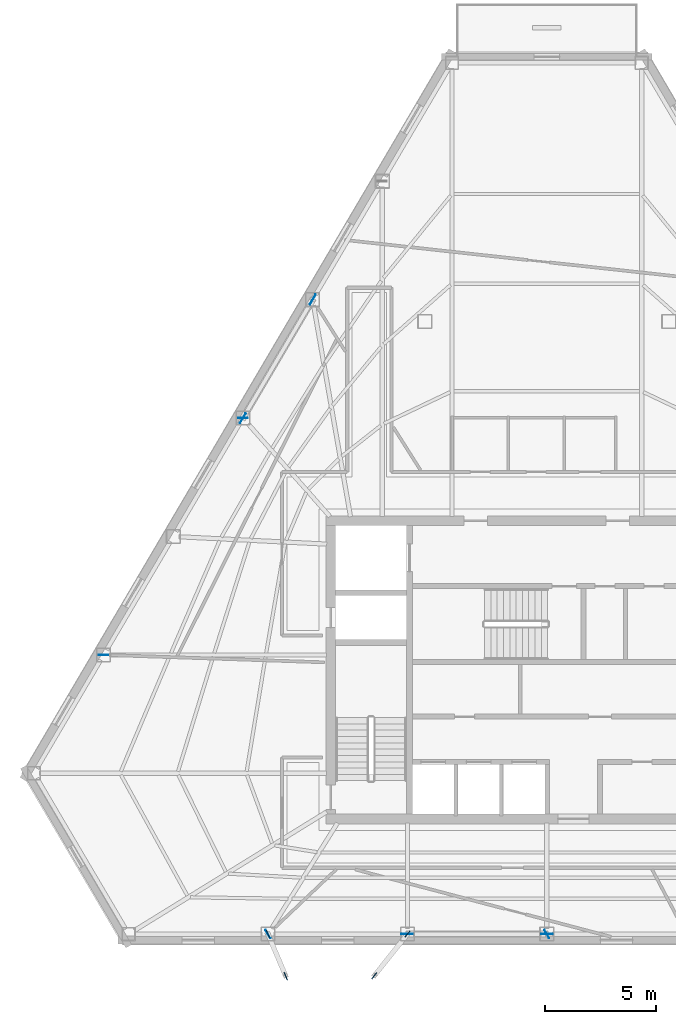
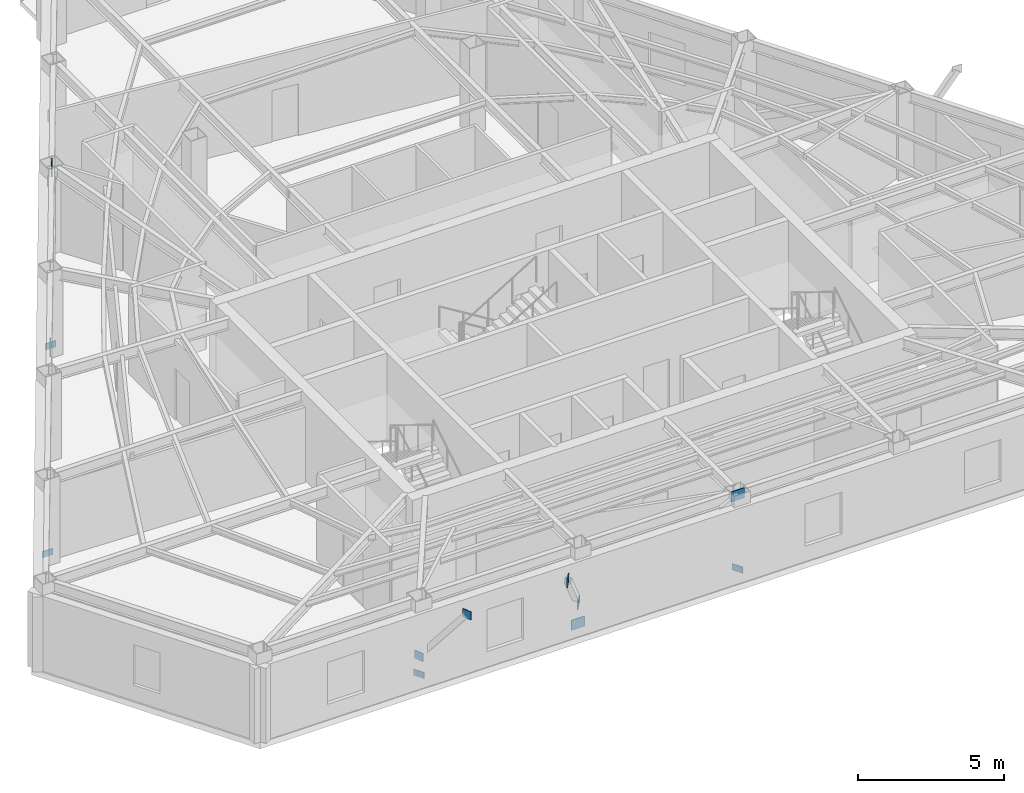
# One storey, part 4 of 12: 12 plates.
"""IFC4 building model written with IfcOpenShell, lengths in metres."""

from ifc_helpers import new_model, si_unit, direction, frame, origin, origin_2d, place, context, subcontext, project, spatial, rectangle, extrude, material, layer, layer_set, type_object, element, save


model = new_model("IFC4")

# Units and contexts
model_context = context("Model", 3, precision=1e-05, world=origin(), true_north=direction((0.0, 1.0)))
body_context = subcontext(model_context, "Body", "Model", "MODEL_VIEW")
ifc_project = project(units=[si_unit("LENGTHUNIT", "METRE"), si_unit("AREAUNIT", "SQUARE_METRE"), si_unit("VOLUMEUNIT", "CUBIC_METRE"), si_unit("PLANEANGLEUNIT", "RADIAN"), si_unit("MASSUNIT", "GRAM", prefix="KILO")], contexts=[model_context])

# Site, building, storey
site_placement = place(None, origin())
site = spatial("IfcSite", under=ifc_project, at=site_placement, CompositionType="ELEMENT")
building_placement = place(site_placement, origin())
building = spatial("IfcBuilding", under=site, at=building_placement, Name="Kavelnor Concourse Tower", CompositionType="ELEMENT")
storey_placement = place(building_placement, frame((0.0, 0.0, 203.5)))
storey = spatial("IfcBuildingStorey", under=building, at=storey_placement, Name="L51", CompositionType="ELEMENT", Elevation=203.5)

# Plates
ifc_material = material(Name="Steel Grade 350", Category="steel")
ifc_layer_1 = layer(ifc_material, 0.028076171875, Name="Steel Grade 350")
ifc_layer_set_1 = layer_set([ifc_layer_1], Name="Steel Grade 350")
plate_type_1 = type_object("IfcPlateType", Name="PL-GUSSET-FOLD", PredefinedType="USERDEFINED", material=ifc_layer_set_1)
for number, where, z_axis, x_axis, name in (
    (1, (25.427978515625, 4.1962890625, 0.8798828125), (0.0, 0.0, 1.0), (0.389284721396, -0.921117476594, 0.0), "L51 Balcony Strut Gusset GP4 1-A End Gusset A"),
    (2, (26.23388671875, 2.28955078125, 3.48486328125), (0.0, 0.0, 1.0), (0.389284721396, -0.921117476594, 0.0), "L51 Balcony Strut Gusset GP4 1-A End Gusset B"),
    (3, (31.723876953125, 4.194580078125, 0.8798828125), (0.0, 0.0, 1.0), (-0.622378036266, -0.782716794233, 0.0), "L51 Balcony Strut Gusset GP4 1-B End Gusset A"),
    (4, (30.2216796875, 2.305908203125, 3.48486328125), (0.0, 0.0, 1.0), (-0.622378036266, -0.782716794233, 0.0), "L51 Balcony Strut Gusset GP4 1-B End Gusset B"),
):
    element("IfcPlate", number, at=place(storey_placement, frame(where, z_axis=z_axis, x_axis=x_axis)), inside=storey, type_object=plate_type_1, Name=name, ObjectType="GUSSET_PLATE", PredefinedType="USERDEFINED", context=body_context, shape_type="SweptSolid", body=[
        extrude(rectangle(XDim=0.360107421875, YDim=0.028076171875, at=origin_2d()), origin(), (0.0, 0.0, 1.0), 0.340087890625),
    ])
ifc_layer_2 = layer(ifc_material, 0.031982421875, Name="Steel Grade 350")
ifc_layer_set_2 = layer_set([ifc_layer_2], Name="Steel Grade 350")
plate_type_2 = type_object("IfcPlateType", Name="PL-GUSSET-TUBE-Z1", PredefinedType="USERDEFINED", material=ifc_layer_set_2)
for number, where, z_axis, x_axis, name in (
    (5, (24.298095703125, 27.4365234375, 0.010009765625), (0.0, 0.0, 1.0), (0.507087145436, 0.861894788785, 0.0), "L51 Tube Brace Gusset GP3 F0-B2 End Gusset A"),
    (6, (27.45068359375, 32.7939453125, 3.16015625), (0.0, 0.0, 1.0), (0.507087145436, 0.861894788785, 0.0), "L51 Tube Brace Gusset GP3 F0-B2 End Gusset B"),
    (7, (31.704345703125, 4.185302734375, 0.010009765625), (0.0, 0.0, 1.0), (1.0, 0.0, 0.0), "L51 Tube Brace Gusset GP3 F1-B2 End Gusset A"),
    (8, (38.011962890625, 4.185302734375, 3.16015625), (0.0, 0.0, 1.0), (1.0, 0.0, 0.0), "L51 Tube Brace Gusset GP3 F1-B2 End Gusset B"),
):
    element("IfcPlate", number, at=place(storey_placement, frame(where, z_axis=z_axis, x_axis=x_axis)), inside=storey, type_object=plate_type_2, Name=name, ObjectType="GUSSET_PLATE", PredefinedType="USERDEFINED", context=body_context, shape_type="SweptSolid", body=[
        extrude(rectangle(XDim=0.52001953125, YDim=0.031982421875, at=origin_2d()), origin(), (0.0, 0.0, 1.0), 0.419921875),
    ])
ifc_layer_3 = layer(ifc_material, 0.02490234375, Name="Steel Grade 350")
ifc_layer_set_3 = layer_set([ifc_layer_3], Name="Steel Grade 350")
plate_type_3 = type_object("IfcPlateType", Name="PL-SPLICE-FLANGE", PredefinedType="SHEET", material=ifc_layer_set_3)
for number, where, z_axis, x_axis, name in (
    (9, (24.30419921875, 27.44677734375, 0.169921875), (0.0, 0.0, 1.0), (1.0, 0.0, 0.0), "L51 Column Flange Splice Plate F0-B3"),
    (10, (18.023193359375, 16.772705078125, 0.169921875), (0.0, 0.0, 1.0), (1.0, 0.0, 0.0), "L51 Column Flange Splice Plate F0-B5"),
    (11, (25.4326171875, 4.185302734375, 0.169921875), (0.0, 0.0, 1.0), (-0.5, 0.866025403784, 0.0), "L51 Column Flange Splice Plate F1-B1"),
    (12, (38.0, 4.185302734375, 0.169921875), (0.0, 0.0, 1.0), (-0.5, 0.866025403784, 0.0), "L51 Column Flange Splice Plate F1-B3"),
):
    element("IfcPlate", number, at=place(storey_placement, frame(where, z_axis=z_axis, x_axis=x_axis)), inside=storey, type_object=plate_type_3, Name=name, PredefinedType="SHEET", context=body_context, shape_type="SweptSolid", body=[
        extrude(rectangle(XDim=0.419921875, YDim=0.02490234375, at=origin_2d()), origin(), (0.0, 0.0, 1.0), 0.260009765625),
    ])

save(model, "model.ifc")
